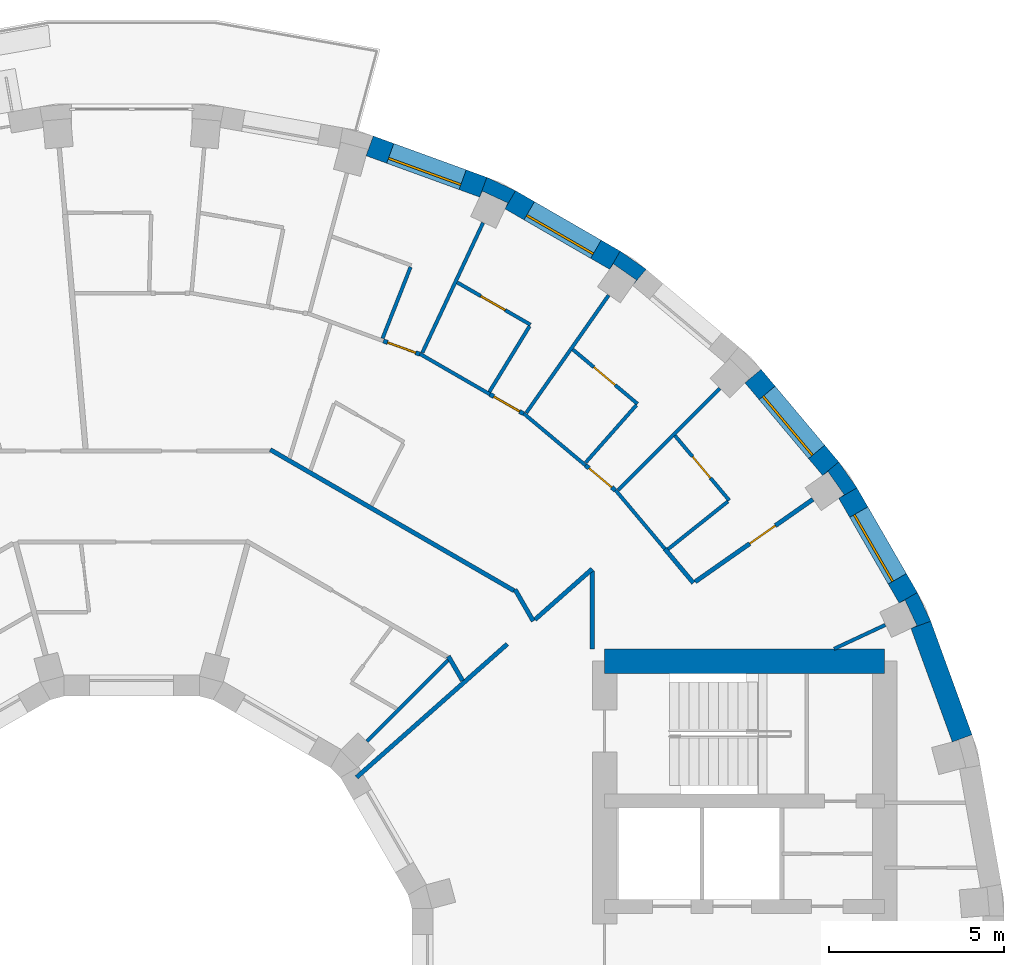
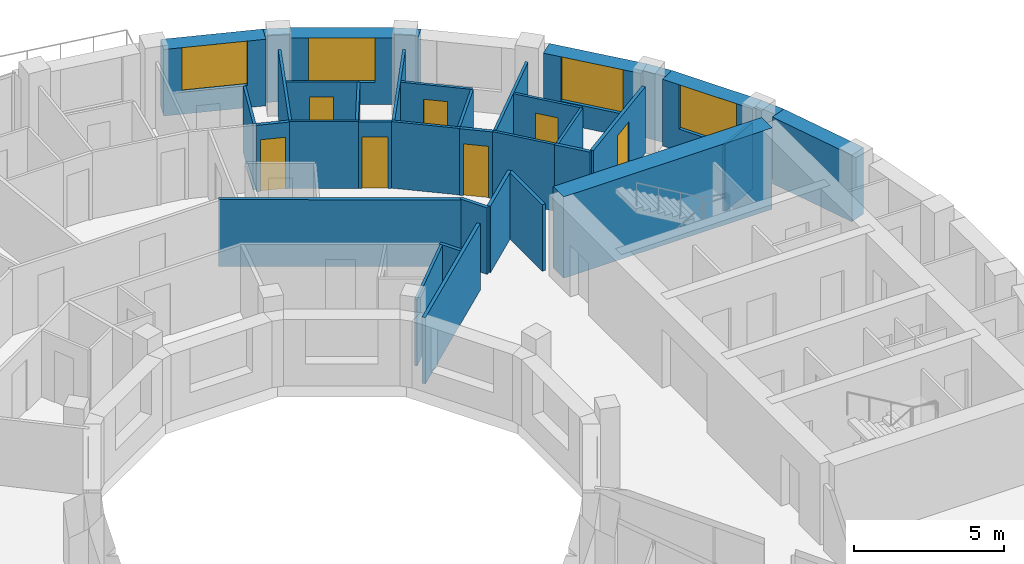
# One storey, part 12 of 14: 36 walls, 7 doors, 4 windows, 11 openings.
"""IFC4 building model written with IfcOpenShell, lengths in metres."""

from ifc_helpers import new_model, si_unit, direction, frame, frame_2d, origin, place, context, subcontext, project, spatial, polyline, rectangle, outline, extrude, material, layer, layer_set, type_object, element, fill, save


model = new_model("IFC4")

# Units and contexts
model_context = context("Model", 3, precision=1e-05, world=origin(), true_north=direction((0.0, 1.0)))
body_context = subcontext(model_context, "Body", "Model", "MODEL_VIEW")
ifc_project = project(units=[si_unit("LENGTHUNIT", "METRE"), si_unit("AREAUNIT", "SQUARE_METRE"), si_unit("VOLUMEUNIT", "CUBIC_METRE"), si_unit("PLANEANGLEUNIT", "RADIAN"), si_unit("MASSUNIT", "GRAM", prefix="KILO")], contexts=[model_context])

# Site, building, storey
site_placement = place(None, origin())
site = spatial("IfcSite", under=ifc_project, at=site_placement, CompositionType="ELEMENT")
building_placement = place(site_placement, origin())
building = spatial("IfcBuilding", under=site, at=building_placement, Name="Saqina Gate Tower", CompositionType="ELEMENT")
storey_placement = place(building_placement, frame((0.0, 0.0, 216.89990234375)))
storey = spatial("IfcBuildingStorey", under=building, at=storey_placement, Name="L62", CompositionType="ELEMENT", Elevation=216.89990234375)

# Walls
ifc_material_1 = material(Name="Brick masonry (buff)", Category="masonry")
wall_type_1 = type_object("IfcWallType", Name="BRICK PIER COPING BUFF", PredefinedType="SOLIDWALL", material=ifc_material_1)
wall_1_placement = place(storey_placement, origin())
element("IfcWall", 1, at=wall_1_placement, inside=storey, type_object=wall_type_1, Name="Pier cap L62 column 3", PredefinedType="SOLIDWALL", context=body_context, shape_type="SweptSolid", body=[
    extrude(outline(polyline([(22.4306640625, 10.958740234375), (21.9111328125, 10.65869140625), (22.080810546875, 10.73779296875), (22.4189453125, 10.0126953125), (22.249267578125, 9.93359375), (22.81298828125, 10.138916015625), (22.4306640625, 10.958740234375)])), origin(), (0.0, 0.0, 1.0), 2.7001953125),
])
wall_2_placement = place(storey_placement, origin())
element("IfcWall", 2, at=wall_2_placement, inside=storey, type_object=wall_type_1, Name="Pier cap L62 column 4", PredefinedType="SOLIDWALL", context=body_context, shape_type="SweptSolid", body=[
    extrude(outline(polyline([(20.705810546875, 13.9462890625), (20.18701171875, 14.687255859375), (19.727294921875, 14.301513671875), (19.880859375, 14.408935546875), (20.339599609375, 13.753662109375), (20.186279296875, 13.646240234375), (20.705810546875, 13.9462890625)])), origin(), (0.0, 0.0, 1.0), 2.7001953125),
])
wall_3_placement = place(storey_placement, origin())
element("IfcWall", 3, at=wall_3_placement, inside=storey, type_object=wall_type_1, Name="Pier cap L62 column 6", PredefinedType="SOLIDWALL", context=body_context, shape_type="SweptSolid", body=[
    extrude(outline(polyline([(14.687255859375, 20.18701171875), (13.9462890625, 20.705810546875), (13.646240234375, 20.186279296875), (13.753662109375, 20.339599609375), (14.408935546875, 19.880859375), (14.301513671875, 19.727294921875), (14.687255859375, 20.18701171875)])), origin(), (0.0, 0.0, 1.0), 2.7001953125),
])
wall_4_placement = place(storey_placement, origin())
element("IfcWall", 4, at=wall_4_placement, inside=storey, type_object=wall_type_1, Name="Pier cap L62 column 7", PredefinedType="SOLIDWALL", context=body_context, shape_type="SweptSolid", body=[
    extrude(outline(polyline([(10.138916015625, 22.81298828125), (9.93359375, 22.249267578125), (10.0126953125, 22.4189453125), (10.73779296875, 22.080810546875), (10.65869140625, 21.9111328125), (10.958740234375, 22.4306640625), (10.138916015625, 22.81298828125)])), origin(), (0.0, 0.0, 1.0), 2.7001953125),
])

# Wall, opening, window
ifc_material_2 = material(Name="Brick masonry (buff)", Category="masonry")
ifc_layer_1 = layer(ifc_material_2, 0.60009765625)
ifc_layer_set_1 = layer_set([ifc_layer_1], Name="FW-BRICK-BUFF")
wall_type_2 = type_object("IfcWallType", Name="FW-BRICK-BUFF", PredefinedType="SOLIDWALL", material=ifc_layer_set_1)
wall_5_placement = place(storey_placement, frame((22.1708984375, 10.80859375, 0.0), z_axis=(0.0, 0.0, 1.0), x_axis=(-0.499998129301, 0.86602648383, 0.0)))
wall_5 = element("IfcWall", 5, at=wall_5_placement, inside=storey, type_object=wall_type_2, Name="Facade wall L62 facet 3", PredefinedType="SOLIDWALL", context=body_context, shape_type="SweptSolid", body=[
    extrude(rectangle(XDim=3.44970703125, YDim=0.60009765625, at=frame_2d((1.724853515625, 0.0))), origin(), (0.0, 0.0, 1.0), 2.7001953125),
])
opening_1_placement = place(wall_5_placement, frame((0.625, 0.0, 0.89990234375)))
opening_1 = element("IfcOpeningElement", 6, at=opening_1_placement, cuts=wall_5, Name="Opening G18-W01", PredefinedType="OPENING", context=body_context, shape_type="SweptSolid", body=[
    extrude(rectangle(XDim=2.199951171875, YDim=1.800048828125, at=frame_2d((1.10009765625, 0.89990234375))), frame((0.0, 0.31201171875, 0.0), z_axis=(0.0, -1.0, 0.0), x_axis=(1.0, 0.0, 0.0)), (0.0, 0.0, 1.0), 0.6240234375),
])
ifc_material_3 = material(Name="Aluminium glazing", Category="aluminium")
window_type = type_object("IfcWindowType", Name="WN-C", PartitioningType="SINGLE_PANEL", PredefinedType="WINDOW", material=ifc_material_3)
window_1_placement = place(opening_1_placement, origin())
window_1 = element("IfcWindow", 7, at=window_1_placement, inside=storey, type_object=window_type, Name="Window L62 facet 3", OverallHeight=1.800048828125, OverallWidth=2.199951171875, PartitioningType="SINGLE_PANEL", PredefinedType="WINDOW", context=body_context, shape_type="SweptSolid", body=[
    extrude(rectangle(XDim=2.199951171875, YDim=1.800048828125, at=frame_2d((1.10009765625, 0.89990234375))), frame((0.0, 0.179931640625, 0.0), z_axis=(0.0, -1.0, 0.0), x_axis=(1.0, 0.0, 0.0)), (0.0, 0.0, 1.0), 0.06005859375),
])
fill(opening_1, window_1)

wall_6_placement = place(storey_placement, frame((19.95703125, 14.494384765625, 0.0), z_axis=(0.0, 0.0, 1.0), x_axis=(-0.642770398358, 0.766058884809, 0.0)))
wall_6 = element("IfcWall", 8, at=wall_6_placement, inside=storey, type_object=wall_type_2, Name="Facade wall L62 facet 4", PredefinedType="SOLIDWALL", context=body_context, shape_type="SweptSolid", body=[
    extrude(rectangle(XDim=3.449462890625, YDim=0.60009765625, at=frame_2d((1.724609375, 0.0))), origin(), (0.0, 0.0, 1.0), 2.7001953125),
])
opening_2_placement = place(wall_6_placement, frame((0.625, 0.0, 0.89990234375)))
opening_2 = element("IfcOpeningElement", 9, at=opening_2_placement, cuts=wall_6, Name="Opening G18-W02", PredefinedType="OPENING", context=body_context, shape_type="SweptSolid", body=[
    extrude(rectangle(XDim=2.199951171875, YDim=1.800048828125, at=frame_2d((1.10009765625, 0.89990234375))), frame((0.0, 0.31201171875, 0.0), z_axis=(0.0, -1.0, 0.0), x_axis=(1.0, 0.0, 0.0)), (0.0, 0.0, 1.0), 0.6240234375),
])
window_2_placement = place(opening_2_placement, origin())
window_2 = element("IfcWindow", 10, at=window_2_placement, inside=storey, type_object=window_type, Name="Window L62 facet 4", OverallHeight=1.800048828125, OverallWidth=2.199951171875, PartitioningType="SINGLE_PANEL", PredefinedType="WINDOW", context=body_context, shape_type="SweptSolid", body=[
    extrude(rectangle(XDim=2.199951171875, YDim=1.800048828125, at=frame_2d((1.10009765625, 0.89990234375))), frame((0.0, 0.179931640625, 0.0), z_axis=(0.0, -1.0, 0.0), x_axis=(1.0, 0.0, 0.0)), (0.0, 0.0, 1.0), 0.06005859375),
])
fill(opening_2, window_2)

wall_7_placement = place(storey_placement, frame((13.796142578125, 20.446044921875, 0.0), z_axis=(0.0, 0.0, 1.0), x_axis=(-0.86602648383, 0.499998129301, 0.0)))
wall_7 = element("IfcWall", 11, at=wall_7_placement, inside=storey, type_object=wall_type_2, Name="Facade wall L62 facet 6", PredefinedType="SOLIDWALL", context=body_context, shape_type="SweptSolid", body=[
    extrude(rectangle(XDim=3.44970703125, YDim=0.60009765625, at=frame_2d((1.724853515625, 0.0))), origin(), (0.0, 0.0, 1.0), 2.7001953125),
])
opening_3_placement = place(wall_7_placement, frame((0.625, 0.0, 0.89990234375)))
opening_3 = element("IfcOpeningElement", 12, at=opening_3_placement, cuts=wall_7, Name="Opening G18-W04", PredefinedType="OPENING", context=body_context, shape_type="SweptSolid", body=[
    extrude(rectangle(XDim=2.199951171875, YDim=1.800048828125, at=frame_2d((1.10009765625, 0.89990234375))), frame((0.0, 0.31201171875, 0.0), z_axis=(0.0, -1.0, 0.0), x_axis=(1.0, 0.0, 0.0)), (0.0, 0.0, 1.0), 0.6240234375),
])
window_3_placement = place(opening_3_placement, origin())
window_3 = element("IfcWindow", 13, at=window_3_placement, inside=storey, type_object=window_type, Name="Window L62 facet 6", OverallHeight=1.800048828125, OverallWidth=2.199951171875, PartitioningType="SINGLE_PANEL", PredefinedType="WINDOW", context=body_context, shape_type="SweptSolid", body=[
    extrude(rectangle(XDim=2.199951171875, YDim=1.800048828125, at=frame_2d((1.10009765625, 0.89990234375))), frame((0.0, 0.179931640625, 0.0), z_axis=(0.0, -1.0, 0.0), x_axis=(1.0, 0.0, 0.0)), (0.0, 0.0, 1.0), 0.06005859375),
])
fill(opening_3, window_3)

wall_8_placement = place(storey_placement, frame((10.0361328125, 22.531005859375, 0.0), z_axis=(0.0, 0.0, 1.0), x_axis=(-0.93968799822, 0.342032843455, 0.0)))
wall_8 = element("IfcWall", 14, at=wall_8_placement, inside=storey, type_object=wall_type_2, Name="Facade wall L62 facet 7", PredefinedType="SOLIDWALL", context=body_context, shape_type="SweptSolid", body=[
    extrude(rectangle(XDim=3.44970703125, YDim=0.60009765625, at=frame_2d((1.724853515625, 0.0))), origin(), (0.0, 0.0, 1.0), 2.7001953125),
])
opening_4_placement = place(wall_8_placement, frame((0.625, 0.0, 0.89990234375)))
opening_4 = element("IfcOpeningElement", 15, at=opening_4_placement, cuts=wall_8, Name="Opening G18-W05", PredefinedType="OPENING", context=body_context, shape_type="SweptSolid", body=[
    extrude(rectangle(XDim=2.199951171875, YDim=1.800048828125, at=frame_2d((1.10009765625, 0.89990234375))), frame((0.0, 0.31201171875, 0.0), z_axis=(0.0, -1.0, 0.0), x_axis=(1.0, 0.0, 0.0)), (0.0, 0.0, 1.0), 0.6240234375),
])
window_4_placement = place(opening_4_placement, origin())
window_4 = element("IfcWindow", 16, at=window_4_placement, inside=storey, type_object=window_type, Name="Window L62 facet 7", OverallHeight=1.800048828125, OverallWidth=2.199951171875, PartitioningType="SINGLE_PANEL", PredefinedType="WINDOW", context=body_context, shape_type="SweptSolid", body=[
    extrude(rectangle(XDim=2.199951171875, YDim=1.800048828125, at=frame_2d((1.10009765625, 0.89990234375))), frame((0.0, 0.179931640625, 0.0), z_axis=(0.0, -1.0, 0.0), x_axis=(1.0, 0.0, 0.0)), (0.0, 0.0, 1.0), 0.06005859375),
])
fill(opening_4, window_4)

# Walls
ifc_material_4 = material(Name="Glazed ceramic tile (white)", Category="ceramic")
ifc_layer_2 = layer(ifc_material_4, 0.60009765625)
ifc_layer_set_2 = layer_set([ifc_layer_2], Name="FW-TILE-WH")
wall_type_3 = type_object("IfcWallType", Name="FW-TILE-WH", PredefinedType="SOLIDWALL", material=ifc_layer_set_2)
wall_9_placement = place(storey_placement, frame((23.7109375, 6.79443359375, 0.0), z_axis=(0.0, 0.0, 1.0), x_axis=(-0.342032843455, 0.93968799822, 0.0)))
element("IfcWall", 17, at=wall_9_placement, inside=storey, type_object=wall_type_3, Name="Facade wall L62 facet 2", PredefinedType="SOLIDWALL", context=body_context, shape_type="SweptSolid", body=[
    extrude(rectangle(XDim=3.44970703125, YDim=0.60009765625, at=frame_2d((1.724853515625, 0.0))), origin(), (0.0, 0.0, 1.0), 2.7001953125),
])
ifc_material_5 = material(Name="Gypsum board on steel studs, 100 mm", Category="steel")
ifc_layer_3 = layer(ifc_material_5, 0.10009765625)
ifc_layer_set_3 = layer_set([ifc_layer_3], Name="PARTITION 100")
wall_type_4 = type_object("IfcWallType", Name="PARTITION 100", PredefinedType="PARTITIONING", material=ifc_layer_set_3)
wall_10_placement = place(storey_placement, frame((13.8115234375, 13.885009765625, 0.0), z_axis=(0.0, 0.0, 1.0), x_axis=(0.642719704672, -0.766101417063, 0.0)))
element("IfcWall", 18, at=wall_10_placement, inside=storey, type_object=wall_type_4, Name="PARTITION PW3-17", PredefinedType="PARTITIONING", context=body_context, shape_type="SweptSolid", body=[
    extrude(rectangle(XDim=2.1943359375, YDim=0.10009765625, at=frame_2d((1.09716796875, 0.0))), origin(), (0.0, 0.0, 1.0), 2.7001953125),
])

# Wall, opening, door
wall_11_placement = place(storey_placement, frame((15.509033203125, 15.438720703125, 0.0), z_axis=(0.0, 0.0, 1.0), x_axis=(0.642786493814, -0.766045379446, 0.0)))
wall_11 = element("IfcWall", 19, at=wall_11_placement, inside=storey, type_object=wall_type_4, Name="PARTITION PW3-18", PredefinedType="PARTITIONING", context=body_context, shape_type="SweptSolid", body=[
    extrude(rectangle(XDim=2.41455078125, YDim=0.10009765625, at=frame_2d((1.207275390625, 0.0))), origin(), (0.0, 0.0, 1.0), 2.7001953125),
])
opening_5_placement = place(wall_11_placement, frame((0.7822265625, 0.0, 0.0)))
opening_5 = element("IfcOpeningElement", 20, at=opening_5_placement, cuts=wall_11, Name="Opening G18-D02", PredefinedType="OPENING", context=body_context, shape_type="SweptSolid", body=[
    extrude(rectangle(XDim=0.800048828125, YDim=2.10009765625, at=frame_2d((0.39990234375, 1.050048828125))), frame((0.0, 0.06201171875, 0.0), z_axis=(0.0, -1.0, 0.0), x_axis=(1.0, 0.0, 0.0)), (0.0, 0.0, 1.0), 0.1240234375),
])
ifc_material_6 = material(Name="Timber door leaf, 800 mm", Category="wood")
door_type_1 = type_object("IfcDoorType", Name="DOOR 800 TIMBER", OperationType="SINGLE_SWING_LEFT", PredefinedType="DOOR", material=ifc_material_6)
door_1_placement = place(opening_5_placement, origin())
door_1 = element("IfcDoor", 21, at=door_1_placement, inside=storey, type_object=door_type_1, Name="DOOR G18-D02", OperationType="SINGLE_SWING_LEFT", OverallHeight=2.10009765625, OverallWidth=0.800048828125, PredefinedType="DOOR", context=body_context, shape_type="SweptSolid", body=[
    extrude(rectangle(XDim=0.800048828125, YDim=2.10009765625, at=frame_2d((0.39990234375, 1.050048828125))), frame((0.0, 0.02490234375, 0.0), z_axis=(0.0, -1.0, 0.0), x_axis=(1.0, 0.0, 0.0)), (0.0, 0.0, 1.0), 0.050048828125),
])
fill(opening_5, door_1)

# Wall
wall_12_placement = place(storey_placement, frame((11.191162109375, 16.070556640625, 0.0), z_axis=(0.0, 0.0, 1.0), x_axis=(0.766099024104, -0.642722556993, 0.0)))
element("IfcWall", 22, at=wall_12_placement, inside=storey, type_object=wall_type_4, Name="PARTITION PW3-23", PredefinedType="PARTITIONING", context=body_context, shape_type="SweptSolid", body=[
    extrude(rectangle(XDim=2.305419921875, YDim=0.10009765625, at=frame_2d((1.15283203125, 0.0))), origin(), (0.0, 0.0, 1.0), 2.7001953125),
])

# Wall, opening, door
wall_13_placement = place(storey_placement, frame((12.59326171875, 17.89794921875, 0.0), z_axis=(0.0, 0.0, 1.0), x_axis=(0.765878189611, -0.642985690882, 0.0)))
wall_13 = element("IfcWall", 23, at=wall_13_placement, inside=storey, type_object=wall_type_4, Name="PARTITION PW3-24", PredefinedType="PARTITIONING", context=body_context, shape_type="SweptSolid", body=[
    extrude(rectangle(XDim=2.413818359375, YDim=0.10009765625, at=frame_2d((1.20703125, 0.0))), origin(), (0.0, 0.0, 1.0), 2.7001953125),
])
opening_6_placement = place(wall_13_placement, frame((0.781982421875, 0.0, 0.0)))
opening_6 = element("IfcOpeningElement", 24, at=opening_6_placement, cuts=wall_13, Name="Opening G18-D04", PredefinedType="OPENING", context=body_context, shape_type="SweptSolid", body=[
    extrude(rectangle(XDim=0.800048828125, YDim=2.10009765625, at=frame_2d((0.39990234375, 1.050048828125))), frame((0.0, 0.06201171875, 0.0), z_axis=(0.0, -1.0, 0.0), x_axis=(1.0, 0.0, 0.0)), (0.0, 0.0, 1.0), 0.1240234375),
])
door_2_placement = place(opening_6_placement, origin())
door_2 = element("IfcDoor", 25, at=door_2_placement, inside=storey, type_object=door_type_1, Name="DOOR G18-D04", OperationType="SINGLE_SWING_LEFT", OverallHeight=2.10009765625, OverallWidth=0.800048828125, PredefinedType="DOOR", context=body_context, shape_type="SweptSolid", body=[
    extrude(rectangle(XDim=0.800048828125, YDim=2.10009765625, at=frame_2d((0.39990234375, 1.050048828125))), frame((0.0, 0.02490234375, 0.0), z_axis=(0.0, -1.0, 0.0), x_axis=(1.0, 0.0, 0.0)), (0.0, 0.0, 1.0), 0.050048828125),
])
fill(opening_6, door_2)

# Wall
wall_14_placement = place(storey_placement, frame((8.23095703125, 17.7705078125, 0.0), z_axis=(0.0, 0.0, 1.0), x_axis=(0.865906868937, -0.5002052522, 0.0)))
element("IfcWall", 26, at=wall_14_placement, inside=storey, type_object=wall_type_4, Name="PARTITION PW3-31", PredefinedType="PARTITIONING", context=body_context, shape_type="SweptSolid", body=[
    extrude(rectangle(XDim=2.30517578125, YDim=0.10009765625, at=frame_2d((1.152587890625, 0.0))), origin(), (0.0, 0.0, 1.0), 2.7001953125),
])

# Wall, opening, door
wall_15_placement = place(storey_placement, frame((9.293212890625, 19.81201171875, 0.0), z_axis=(0.0, 0.0, 1.0), x_axis=(0.866145191815, -0.499792463624, 0.0)))
wall_15 = element("IfcWall", 27, at=wall_15_placement, inside=storey, type_object=wall_type_4, Name="PARTITION PW3-32", PredefinedType="PARTITIONING", context=body_context, shape_type="SweptSolid", body=[
    extrude(rectangle(XDim=2.4150390625, YDim=0.10009765625, at=frame_2d((1.20751953125, 0.0))), origin(), (0.0, 0.0, 1.0), 2.7001953125),
])
opening_7_placement = place(wall_15_placement, frame((0.782470703125, 0.0, 0.0)))
opening_7 = element("IfcOpeningElement", 28, at=opening_7_placement, cuts=wall_15, Name="Opening G18-D08", PredefinedType="OPENING", context=body_context, shape_type="SweptSolid", body=[
    extrude(rectangle(XDim=0.800048828125, YDim=2.10009765625, at=frame_2d((0.39990234375, 1.050048828125))), frame((0.0, 0.06201171875, 0.0), z_axis=(0.0, -1.0, 0.0), x_axis=(1.0, 0.0, 0.0)), (0.0, 0.0, 1.0), 0.1240234375),
])
door_3_placement = place(opening_7_placement, origin())
door_3 = element("IfcDoor", 29, at=door_3_placement, inside=storey, type_object=door_type_1, Name="DOOR G18-D08", OperationType="SINGLE_SWING_LEFT", OverallHeight=2.10009765625, OverallWidth=0.800048828125, PredefinedType="DOOR", context=body_context, shape_type="SweptSolid", body=[
    extrude(rectangle(XDim=0.800048828125, YDim=2.10009765625, at=frame_2d((0.39990234375, 1.050048828125))), frame((0.0, 0.02490234375, 0.0), z_axis=(0.0, -1.0, 0.0), x_axis=(1.0, 0.0, 0.0)), (0.0, 0.0, 1.0), 0.050048828125),
])
fill(opening_7, door_3)

# Walls
wall_16_placement = place(storey_placement, frame((20.052978515625, 9.35009765625, 0.0), z_axis=(0.0, 0.0, 1.0), x_axis=(0.906055596822, 0.423158664648, 0.0)))
element("IfcWall", 30, at=wall_16_placement, inside=storey, type_object=wall_type_4, Name="PARTITION PW3-53", PredefinedType="PARTITIONING", context=body_context, shape_type="SweptSolid", body=[
    extrude(rectangle(XDim=1.6142578125, YDim=0.10009765625, at=frame_2d((0.80712890625, 0.0))), origin(), (0.0, 0.0, 1.0), 2.7001953125),
])
wall_17_placement = place(storey_placement, frame((15.31103515625, 12.195068359375, 0.0), z_axis=(0.0, 0.0, 1.0), x_axis=(0.782195530376, 0.623033026621, 0.0)))
element("IfcWall", 31, at=wall_17_placement, inside=storey, type_object=wall_type_4, Name="PARTITION PW3-62", PredefinedType="PARTITIONING", context=body_context, shape_type="SweptSolid", body=[
    extrude(rectangle(XDim=2.187255859375, YDim=0.10009765625, at=frame_2d((1.09375, 0.0))), origin(), (0.0, 0.0, 1.0), 2.7001953125),
])
wall_18_placement = place(storey_placement, frame((6.7119140625, 6.7119140625, 0.0), z_axis=(0.0, 0.0, 1.0), x_axis=(0.707106781187, 0.707106781187, 0.0)))
element("IfcWall", 32, at=wall_18_placement, inside=storey, type_object=wall_type_4, Name="PARTITION PW3-66", PredefinedType="PARTITIONING", context=body_context, shape_type="SweptSolid", body=[
    extrude(rectangle(XDim=3.2822265625, YDim=0.10009765625, at=frame_2d((1.64111328125, 0.0))), origin(), (0.0, 0.0, 1.0), 2.7001953125),
])
wall_19_placement = place(storey_placement, frame((13.88916015625, 13.88916015625, 0.0), z_axis=(0.0, 0.0, 1.0), x_axis=(0.707106781187, 0.707106781187, 0.0)))
element("IfcWall", 33, at=wall_19_placement, inside=storey, type_object=wall_type_4, Name="PARTITION PW3-67", PredefinedType="PARTITIONING", context=body_context, shape_type="SweptSolid", body=[
    extrude(rectangle(XDim=4.09765625, YDim=0.10009765625, at=frame_2d((2.048828125, 0.0))), origin(), (0.0, 0.0, 1.0), 2.7001953125),
])
wall_20_placement = place(storey_placement, frame((12.96044921875, 14.66796875, 0.0), z_axis=(0.0, 0.0, 1.0), x_axis=(0.661846667472, 0.749639239072, 0.0)))
element("IfcWall", 34, at=wall_20_placement, inside=storey, type_object=wall_type_4, Name="PARTITION PW3-68", PredefinedType="PARTITIONING", context=body_context, shape_type="SweptSolid", body=[
    extrude(rectangle(XDim=2.1884765625, YDim=0.10009765625, at=frame_2d((1.09423828125, 0.0))), origin(), (0.0, 0.0, 1.0), 2.7001953125),
])
wall_21_placement = place(storey_placement, frame((11.265869140625, 16.089111328125, 0.0), z_axis=(0.0, 0.0, 1.0), x_axis=(0.573606249772, 0.819131167898, 0.0)))
element("IfcWall", 35, at=wall_21_placement, inside=storey, type_object=wall_type_4, Name="PARTITION PW3-73", PredefinedType="PARTITIONING", context=body_context, shape_type="SweptSolid", body=[
    extrude(rectangle(XDim=4.098876953125, YDim=0.10009765625, at=frame_2d((2.04931640625, 0.0))), origin(), (0.0, 0.0, 1.0), 2.7001953125),
])
wall_22_placement = place(storey_placement, frame((10.210205078125, 16.685546875, 0.0), z_axis=(0.0, 0.0, 1.0), x_axis=(0.522046798857, 0.852916842256, 0.0)))
element("IfcWall", 36, at=wall_22_placement, inside=storey, type_object=wall_type_4, Name="PARTITION PW3-76", PredefinedType="PARTITIONING", context=body_context, shape_type="SweptSolid", body=[
    extrude(rectangle(XDim=2.200439453125, YDim=0.10009765625, at=frame_2d((1.10009765625, 0.0))), origin(), (0.0, 0.0, 1.0), 2.7001953125),
])
wall_23_placement = place(storey_placement, frame((8.296875, 17.8037109375, 0.0), z_axis=(0.0, 0.0, 1.0), x_axis=(0.423514808753, 0.90588918018, 0.0)))
element("IfcWall", 37, at=wall_23_placement, inside=storey, type_object=wall_type_4, Name="PARTITION PW3-80", PredefinedType="PARTITIONING", context=body_context, shape_type="SweptSolid", body=[
    extrude(rectangle(XDim=4.09814453125, YDim=0.10009765625, at=frame_2d((2.049072265625, 0.0))), origin(), (0.0, 0.0, 1.0), 2.7001953125),
])
wall_24_placement = place(storey_placement, frame((7.161865234375, 18.216064453125, 0.0), z_axis=(0.0, 0.0, 1.0), x_axis=(0.365959579046, 0.930630746593, 0.0)))
element("IfcWall", 38, at=wall_24_placement, inside=storey, type_object=wall_type_4, Name="PARTITION PW3-83", PredefinedType="PARTITIONING", context=body_context, shape_type="SweptSolid", body=[
    extrude(rectangle(XDim=2.188232421875, YDim=0.10009765625, at=frame_2d((1.09423828125, 0.0))), origin(), (0.0, 0.0, 1.0), 2.7001953125),
])
ifc_material_7 = material(Name="Gypsum board on steel studs, 125 mm, fire rated", Category="steel")
ifc_layer_4 = layer(ifc_material_7, 0.125)
ifc_layer_set_4 = layer_set([ifc_layer_4], Name="PARTITION EI 30 125")
wall_type_5 = type_object("IfcWallType", Name="PARTITION EI 30 125", PredefinedType="PARTITIONING", material=ifc_layer_set_4)
wall_25_placement = place(storey_placement, frame((10.945556640625, 11.04443359375, 0.0), z_axis=(0.0, 0.0, 1.0), x_axis=(0.49896979131, -0.866619378597, 0.0)))
element("IfcWall", 39, at=wall_25_placement, inside=storey, type_object=wall_type_5, Name="PARTITION PW1-05", PredefinedType="PARTITIONING", context=body_context, shape_type="SweptSolid", body=[
    extrude(rectangle(XDim=1.039306640625, YDim=0.125, at=frame_2d((0.51953125, 0.0))), origin(), (0.0, 0.0, 1.0), 2.7001953125),
])
wall_26_placement = place(storey_placement, frame((9.041015625, 9.139404296875, 0.0), z_axis=(0.0, 0.0, 1.0), x_axis=(0.500488808838, -0.865743005879, 0.0)))
element("IfcWall", 40, at=wall_26_placement, inside=storey, type_object=wall_type_5, Name="PARTITION PW1-07", PredefinedType="PARTITIONING", context=body_context, shape_type="SweptSolid", body=[
    extrude(rectangle(XDim=0.808837890625, YDim=0.125, at=frame_2d((0.404296875, 0.0))), origin(), (0.0, 0.0, 1.0), 2.7001953125),
])
wall_27_placement = place(storey_placement, frame((15.222412109375, 12.204345703125, 0.0), z_axis=(0.0, 0.0, 1.0), x_axis=(0.641754990355, -0.766909728948, 0.0)))
element("IfcWall", 41, at=wall_27_placement, inside=storey, type_object=wall_type_5, Name="PARTITION PW1-09", PredefinedType="PARTITIONING", context=body_context, shape_type="SweptSolid", body=[
    extrude(rectangle(XDim=1.26806640625, YDim=0.125, at=frame_2d((0.634033203125, 0.0))), origin(), (0.0, 0.0, 1.0), 2.7001953125),
])

# Wall, opening, door
wall_28_placement = place(storey_placement, frame((12.957275390625, 14.5888671875, 0.0), z_axis=(0.0, 0.0, 1.0), x_axis=(0.766464721633, -0.642286408459, 0.0)))
wall_28 = element("IfcWall", 42, at=wall_28_placement, inside=storey, type_object=wall_type_5, Name="PARTITION PW1-16", PredefinedType="PARTITIONING", context=body_context, shape_type="SweptSolid", body=[
    extrude(rectangle(XDim=1.10693359375, YDim=0.125, at=frame_2d((0.553466796875, 0.0))), origin(), (0.0, 0.0, 1.0), 2.7001953125),
])
opening_8_placement = place(wall_28_placement, frame((0.12841796875, 0.0, 0.0)))
opening_8 = element("IfcOpeningElement", 43, at=opening_8_placement, cuts=wall_28, Name="Opening G18-D03", PredefinedType="OPENING", context=body_context, shape_type="SweptSolid", body=[
    extrude(rectangle(XDim=0.85009765625, YDim=2.10009765625, at=frame_2d((0.425048828125, 1.050048828125))), frame((0.0, 0.074462890625, 0.0), z_axis=(0.0, -1.0, 0.0), x_axis=(1.0, 0.0, 0.0)), (0.0, 0.0, 1.0), 0.14892578125),
])
ifc_material_8 = material(Name="Fire door leaf EI 30, 850 mm")
door_type_2 = type_object("IfcDoorType", Name="DOOR 850 EI 30", OperationType="SINGLE_SWING_LEFT", PredefinedType="DOOR", material=ifc_material_8)
door_4_placement = place(opening_8_placement, frame((0.85009765625, 0.0, 0.0), z_axis=(0.0, 0.0, 1.0), x_axis=(-1.0, 0.0, 0.0)))
door_4 = element("IfcDoor", 44, at=door_4_placement, inside=storey, type_object=door_type_2, Name="DOOR G18-D03", OperationType="SINGLE_SWING_LEFT", OverallHeight=2.10009765625, OverallWidth=0.85009765625, PredefinedType="DOOR", context=body_context, shape_type="SweptSolid", body=[
    extrude(rectangle(XDim=0.85009765625, YDim=2.10009765625, at=frame_2d((0.425048828125, 1.050048828125))), frame((0.0, 0.02490234375, 0.0), z_axis=(0.0, -1.0, 0.0), x_axis=(1.0, 0.0, 0.0)), (0.0, 0.0, 1.0), 0.050048828125),
])
fill(opening_8, door_4)

# Wall
wall_29_placement = place(storey_placement, frame((3.95654296875, 15.037353515625, 0.0), z_axis=(0.0, 0.0, 1.0), x_axis=(0.865555702761, -0.500812664994, 0.0)))
element("IfcWall", 45, at=wall_29_placement, inside=storey, type_object=wall_type_5, Name="PARTITION PW1-19", PredefinedType="PARTITIONING", context=body_context, shape_type="SweptSolid", body=[
    extrude(rectangle(XDim=8.048828125, YDim=0.125, at=frame_2d((4.0244140625, 0.0))), origin(), (0.0, 0.0, 1.0), 2.7001953125),
])

# Wall, opening, door
wall_30_placement = place(storey_placement, frame((10.22705078125, 16.617431640625, 0.0), z_axis=(0.0, 0.0, 1.0), x_axis=(0.865888396158, -0.500237229121, 0.0)))
wall_30 = element("IfcWall", 46, at=wall_30_placement, inside=storey, type_object=wall_type_5, Name="PARTITION PW1-22", PredefinedType="PARTITIONING", context=body_context, shape_type="SweptSolid", body=[
    extrude(rectangle(XDim=1.1083984375, YDim=0.125, at=frame_2d((0.55419921875, 0.0))), origin(), (0.0, 0.0, 1.0), 2.7001953125),
])
opening_9_placement = place(wall_30_placement, frame((0.129150390625, 0.0, 0.0)))
opening_9 = element("IfcOpeningElement", 47, at=opening_9_placement, cuts=wall_30, Name="Opening G18-D06", PredefinedType="OPENING", context=body_context, shape_type="SweptSolid", body=[
    extrude(rectangle(XDim=0.85009765625, YDim=2.10009765625, at=frame_2d((0.425048828125, 1.050048828125))), frame((0.0, 0.074462890625, 0.0), z_axis=(0.0, -1.0, 0.0), x_axis=(1.0, 0.0, 0.0)), (0.0, 0.0, 1.0), 0.14892578125),
])
door_5_placement = place(opening_9_placement, frame((0.85009765625, 0.0, 0.0), z_axis=(0.0, 0.0, 1.0), x_axis=(-1.0, 0.0, 0.0)))
door_5 = element("IfcDoor", 48, at=door_5_placement, inside=storey, type_object=door_type_2, Name="DOOR G18-D06", OperationType="SINGLE_SWING_LEFT", OverallHeight=2.10009765625, OverallWidth=0.85009765625, PredefinedType="DOOR", context=body_context, shape_type="SweptSolid", body=[
    extrude(rectangle(XDim=0.85009765625, YDim=2.10009765625, at=frame_2d((0.425048828125, 1.050048828125))), frame((0.0, 0.02490234375, 0.0), z_axis=(0.0, -1.0, 0.0), x_axis=(1.0, 0.0, 0.0)), (0.0, 0.0, 1.0), 0.050048828125),
])
fill(opening_9, door_5)

wall_31_placement = place(storey_placement, frame((7.18603515625, 18.140869140625, 0.0), z_axis=(0.0, 0.0, 1.0), x_axis=(0.939793423488, -0.341743063087, 0.0)))
wall_31 = element("IfcWall", 49, at=wall_31_placement, inside=storey, type_object=wall_type_5, Name="PARTITION PW1-24", PredefinedType="PARTITIONING", context=body_context, shape_type="SweptSolid", body=[
    extrude(rectangle(XDim=1.108642578125, YDim=0.125, at=frame_2d((0.55419921875, 0.0))), origin(), (0.0, 0.0, 1.0), 2.7001953125),
])
opening_10_placement = place(wall_31_placement, frame((0.12939453125, 0.0, 0.0)))
opening_10 = element("IfcOpeningElement", 50, at=opening_10_placement, cuts=wall_31, Name="Opening G18-D10", PredefinedType="OPENING", context=body_context, shape_type="SweptSolid", body=[
    extrude(rectangle(XDim=0.85009765625, YDim=2.10009765625, at=frame_2d((0.425048828125, 1.050048828125))), frame((0.0, 0.074462890625, 0.0), z_axis=(0.0, -1.0, 0.0), x_axis=(1.0, 0.0, 0.0)), (0.0, 0.0, 1.0), 0.14892578125),
])
door_6_placement = place(opening_10_placement, frame((0.85009765625, 0.0, 0.0), z_axis=(0.0, 0.0, 1.0), x_axis=(-1.0, 0.0, 0.0)))
door_6 = element("IfcDoor", 51, at=door_6_placement, inside=storey, type_object=door_type_2, Name="DOOR G18-D10", OperationType="SINGLE_SWING_LEFT", OverallHeight=2.10009765625, OverallWidth=0.85009765625, PredefinedType="DOOR", context=body_context, shape_type="SweptSolid", body=[
    extrude(rectangle(XDim=0.85009765625, YDim=2.10009765625, at=frame_2d((0.425048828125, 1.050048828125))), frame((0.0, 0.02490234375, 0.0), z_axis=(0.0, -1.0, 0.0), x_axis=(1.0, 0.0, 0.0)), (0.0, 0.0, 1.0), 0.050048828125),
])
fill(opening_10, door_6)

wall_32_placement = place(storey_placement, frame((16.089111328125, 11.265869140625, 0.0), z_axis=(0.0, 0.0, 1.0), x_axis=(0.819131167898, 0.573606249772, 0.0)))
wall_32 = element("IfcWall", 52, at=wall_32_placement, inside=storey, type_object=wall_type_5, Name="PARTITION PW1-40", PredefinedType="PARTITIONING", context=body_context, shape_type="SweptSolid", body=[
    extrude(rectangle(XDim=4.098876953125, YDim=0.125, at=frame_2d((2.04931640625, 0.0))), origin(), (0.0, 0.0, 1.0), 2.7001953125),
])
opening_11_placement = place(wall_32_placement, frame((1.8974609375, 0.0, 0.0)))
opening_11 = element("IfcOpeningElement", 53, at=opening_11_placement, cuts=wall_32, Name="Opening G18-D01", PredefinedType="OPENING", context=body_context, shape_type="SweptSolid", body=[
    extrude(rectangle(XDim=0.89990234375, YDim=2.10009765625, at=frame_2d((0.449951171875, 1.050048828125))), frame((0.0, 0.074462890625, 0.0), z_axis=(0.0, -1.0, 0.0), x_axis=(1.0, 0.0, 0.0)), (0.0, 0.0, 1.0), 0.14892578125),
])
ifc_material_9 = material(Name="Fire door leaf EI 30, 900 mm")
door_type_3 = type_object("IfcDoorType", Name="DOOR 900 EI 30", OperationType="SINGLE_SWING_LEFT", PredefinedType="DOOR", material=ifc_material_9)
door_7_placement = place(opening_11_placement, frame((0.89990234375, 0.0, 0.0), z_axis=(0.0, 0.0, 1.0), x_axis=(-1.0, 0.0, 0.0)))
door_7 = element("IfcDoor", 54, at=door_7_placement, inside=storey, type_object=door_type_3, Name="DOOR G18-D01", OperationType="SINGLE_SWING_LEFT", OverallHeight=2.10009765625, OverallWidth=0.89990234375, PredefinedType="DOOR", context=body_context, shape_type="SweptSolid", body=[
    extrude(rectangle(XDim=0.89990234375, YDim=2.10009765625, at=frame_2d((0.449951171875, 1.050048828125))), frame((0.0, 0.02490234375, 0.0), z_axis=(0.0, -1.0, 0.0), x_axis=(1.0, 0.0, 0.0)), (0.0, 0.0, 1.0), 0.050048828125),
])
fill(opening_11, door_7)

# Walls
wall_33_placement = place(storey_placement, frame((6.419921875, 5.679931640625, 0.0), z_axis=(0.0, 0.0, 1.0), x_axis=(0.74898196967, 0.662590378068, 0.0)))
element("IfcWall", 55, at=wall_33_placement, inside=storey, type_object=wall_type_5, Name="PARTITION PW1-44", PredefinedType="PARTITIONING", context=body_context, shape_type="SweptSolid", body=[
    extrude(rectangle(XDim=5.748046875, YDim=0.125, at=frame_2d((2.8740234375, 0.0))), origin(), (0.0, 0.0, 1.0), 2.7001953125),
])
wall_34_placement = place(storey_placement, frame((11.51171875, 10.184326171875, 0.0), z_axis=(0.0, 0.0, 1.0), x_axis=(0.748998696572, 0.662571469755, 0.0)))
element("IfcWall", 56, at=wall_34_placement, inside=storey, type_object=wall_type_5, Name="PARTITION PW1-45", PredefinedType="PARTITIONING", context=body_context, shape_type="SweptSolid", body=[
    extrude(rectangle(XDim=2.18359375, YDim=0.125, at=frame_2d((1.091796875, 0.0))), origin(), (0.0, 0.0, 1.0), 2.7001953125),
])
wall_35_placement = place(storey_placement, frame((13.14990234375, 9.35107421875, 0.0), z_axis=(0.0, 0.0, 1.0), x_axis=(0.0, 1.0, 0.0)))
element("IfcWall", 57, at=wall_35_placement, inside=storey, type_object=wall_type_5, Name="PARTITION PW1-51", PredefinedType="PARTITIONING", context=body_context, shape_type="SweptSolid", body=[
    extrude(rectangle(XDim=2.21630859375, YDim=0.125, at=frame_2d((1.108154296875, 0.0))), origin(), (0.0, 0.0, 1.0), 2.7001953125),
])
ifc_material_10 = material(Name="Concrete C60/75", Category="concrete")
ifc_layer_5 = layer(ifc_material_10, 0.699951171875)
ifc_layer_set_5 = layer_set([ifc_layer_5], Name="Concrete C60/75")
wall_type_6 = type_object("IfcWallType", Name="STR-CORE WALL-C-O", PredefinedType="SHEAR", material=ifc_layer_set_5)
wall_36_placement = place(storey_placement, frame((13.5, 9.0, 0.0), z_axis=(0.0, 0.0, 1.0), x_axis=(1.0, 0.0, 0.0)))
element("IfcWall", 58, at=wall_36_placement, inside=storey, type_object=wall_type_6, Name="CORE WALL L62 E-NE", PredefinedType="SHEAR", context=body_context, shape_type="SweptSolid", body=[
    extrude(rectangle(XDim=8.0, YDim=0.699951171875, at=frame_2d((4.0, 0.0))), origin(), (0.0, 0.0, 1.0), 3.300048828125),
])

save(model, "model.ifc")
